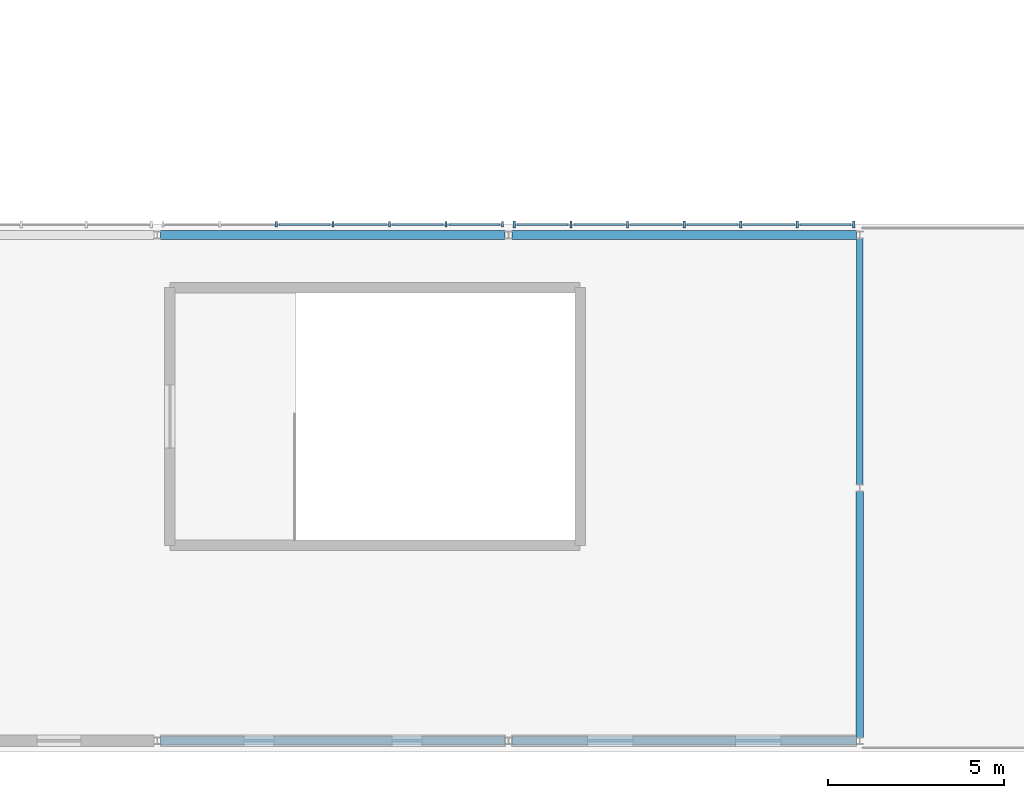
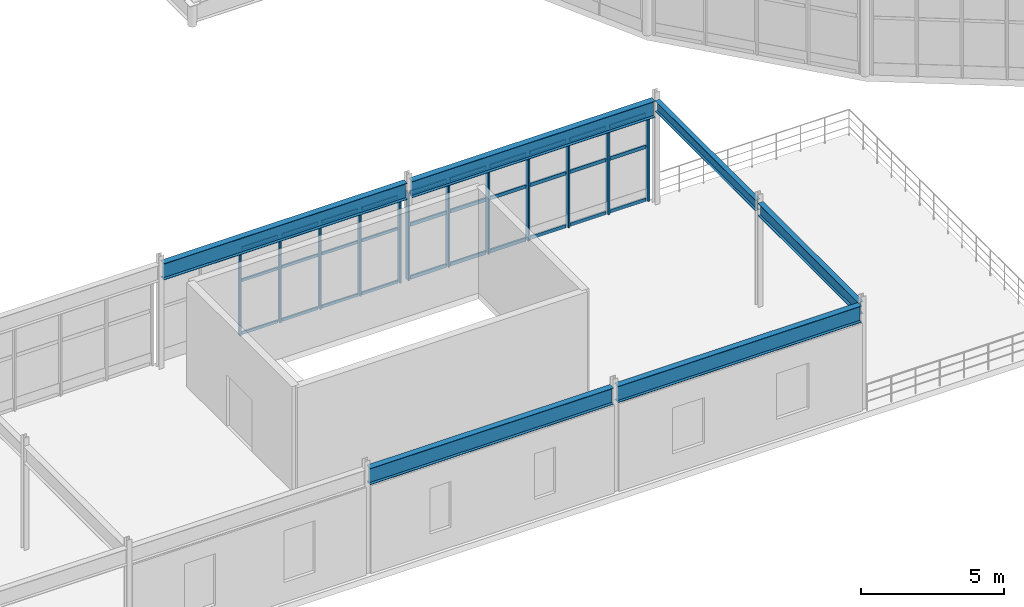
# One storey, part 33 of 144: 42 members, 6 beams, 2 elements without a shape of their own.
"""IFC4 building model written with IfcOpenShell, lengths in metres."""

from ifc_helpers import new_model, si_unit, direction, frame, origin, origin_2d, place, context, subcontext, project, spatial, rectangle, i_section, extrude, material, material_profile, profile_set, type_object, element, aggregate, save


model = new_model("IFC4")

# Units and contexts
model_context = context("Model", 3, precision=1e-05, world=origin(), true_north=direction((0.0, 1.0)))
body_context = subcontext(model_context, "Body", "Model", "MODEL_VIEW")
ifc_project = project(units=[si_unit("LENGTHUNIT", "METRE"), si_unit("AREAUNIT", "SQUARE_METRE"), si_unit("VOLUMEUNIT", "CUBIC_METRE"), si_unit("PLANEANGLEUNIT", "RADIAN"), si_unit("MASSUNIT", "GRAM", prefix="KILO")], contexts=[model_context])

# Site, building, storey
site_placement = place(None, origin())
site = spatial("IfcSite", under=ifc_project, at=site_placement, CompositionType="ELEMENT")
building_placement = place(site_placement, origin())
building = spatial("IfcBuilding", under=site, at=building_placement, Name="Cinderbank Siding Concert Hall", CompositionType="ELEMENT")
storey_placement = place(building_placement, frame((0.0, 0.0, 5.39990234375)))
storey = spatial("IfcBuildingStorey", under=building, at=storey_placement, Name="L02", CompositionType="ELEMENT", Elevation=5.39990234375)

# Beams
ifc_material_1 = material(Name="Structural steel AS/NZS 3679.1 Grade 350 (340 MPa)", Category="steel")
ifc_material_profile_1 = material_profile(ifc_material_1, i_section(OverallWidth=0.18994140625, OverallDepth=0.45751953125, WebThickness=0.009033203125, FlangeThickness=0.014404296875, at=origin_2d()), Name="460UB74.6", Category="LoadBearing")
ifc_profile_set_1 = profile_set([ifc_material_profile_1], Name="Structural steel AS/NZS 3679.1 Grade 350 (340 MPa)")
beam_type_1 = type_object("IfcBeamType", Name="BM-UB460 460UB74.6", PredefinedType="BEAM", material=ifc_profile_set_1)
beam_1_placement = place(storey_placement, frame((88.0, 13.39453125, 4.223388671875), z_axis=(0.0, 1.0, 0.0), x_axis=(-1.0, 0.0, 0.0)))
element("IfcBeam", 1, at=beam_1_placement, inside=storey, type_object=beam_type_1, Name="L02 Beam BM-UB460 #1618", PredefinedType="BEAM", context=body_context, shape_type="SweptSolid", body=[
    extrude(i_section(OverallWidth=0.18994140625, OverallDepth=0.45751953125, WebThickness=0.009033203125, FlangeThickness=0.014404296875, at=origin_2d()), origin(), (0.0, 0.0, 1.0), 7.010986328125),
])
ifc_material_profile_2 = material_profile(ifc_material_1, i_section(OverallWidth=0.208984375, OverallDepth=0.5283203125, WebThickness=0.009521484375, FlangeThickness=0.01318359375, at=origin_2d()), Name="530UB82.0", Category="LoadBearing")
ifc_profile_set_2 = profile_set([ifc_material_profile_2], Name="Structural steel AS/NZS 3679.1 Grade 350 (340 MPa)")
beam_type_2 = type_object("IfcBeamType", Name="BM-UB530 530UB82.0", PredefinedType="BEAM", material=ifc_profile_set_2)
beam_2_placement = place(storey_placement, frame((88.0, 6.194580078125, 4.18798828125), z_axis=(0.0, 1.0, 0.0), x_axis=(-1.0, 0.0, 0.0)))
element("IfcBeam", 2, at=beam_2_placement, inside=storey, type_object=beam_type_2, Name="L02 Beam BM-UB530 #1617", PredefinedType="BEAM", context=body_context, shape_type="SweptSolid", body=[
    extrude(i_section(OverallWidth=0.208984375, OverallDepth=0.5283203125, WebThickness=0.009521484375, FlangeThickness=0.01318359375, at=origin_2d()), origin(), (0.0, 0.0, 1.0), 7.010986328125),
])
ifc_material_2 = material(Name="Structural steel welded plate section AS/NZS 3679.2 / AS/NZS 3678 Grade 350 (340 MPa)", Category="steel")
ifc_material_profile_3 = material_profile(ifc_material_2, i_section(OverallWidth=0.25, OverallDepth=0.699951171875, WebThickness=0.010009765625, FlangeThickness=0.01611328125, at=origin_2d()), Name="700WB130", Category="LoadBearing")
ifc_profile_set_3 = profile_set([ifc_material_profile_3], Name="Structural steel welded plate section AS/NZS 3679.2 / AS/NZS 3678 Grade 350 (340 MPa)")
beam_type_3 = type_object("IfcBeamType", Name="BM-WB700 700WB130", PredefinedType="BEAM", material=ifc_profile_set_3)
for number, where, z_axis, x_axis, name in (
    (3, (68.094482421875, 6.10009765625, 4.10205078125), (1.0, 0.0, 0.0), (0.0, 1.0, 0.0), "L02 Beam BM-WB700 #1613"),
    (4, (68.094482421875, 20.5, 4.10205078125), (1.0, 0.0, 0.0), (0.0, 1.0, 0.0), "L02 Beam BM-WB700 #1614"),
    (5, (78.094482421875, 6.10009765625, 4.10205078125), (1.0, 0.0, 0.0), (0.0, 1.0, 0.0), "L02 Beam BM-WB700 #1615"),
    (6, (78.094482421875, 20.5, 4.10205078125), (1.0, 0.0, 0.0), (0.0, 1.0, 0.0), "L02 Beam BM-WB700 #1616"),
):
    element("IfcBeam", number, at=place(storey_placement, frame(where, z_axis=z_axis, x_axis=x_axis)), inside=storey, type_object=beam_type_3, Name=name, PredefinedType="BEAM", context=body_context, shape_type="SweptSolid", body=[
        extrude(i_section(OverallWidth=0.25, OverallDepth=0.699951171875, WebThickness=0.010009765625, FlangeThickness=0.01611328125, at=origin_2d()), origin(), (0.0, 0.0, 1.0), 9.81103515625),
    ])

# Curtain wall, members
ifc_material_3 = material(Name="Anodised aluminium alloy 6063-T6", Category="aluminium")
curtain_wall_type = type_object("IfcCurtainWallType", Name="CW-16 Unitised Acoustic Curtain Wall 9200x3800", PredefinedType="NOTDEFINED", material=ifc_material_3)
curtain_wall_1_placement = place(storey_placement, origin())
curtain_wall_1 = element("IfcCurtainWall", 7, at=curtain_wall_1_placement, inside=storey, type_object=curtain_wall_type, Name="L02 Curtain Wall CW-16 #142", PredefinedType="NOTDEFINED")
ifc_material_profile_4 = material_profile(ifc_material_3, rectangle(XDim=0.06005859375, YDim=0.159912109375, at=origin_2d()), Name="ALU-MULL-60x160", Category="LoadBearing")
ifc_profile_set_4 = profile_set([ifc_material_profile_4], Name="Anodised aluminium alloy 6063-T6")
member_type_1 = type_object("IfcMemberType", Name="CW-ML1 Mullion 60x160", PredefinedType="MULLION", material=ifc_profile_set_4)
member_1_placement = place(storey_placement, frame((71.38916015625, 20.800048828125, 0.0), z_axis=(0.0, 0.0, 1.0), x_axis=(1.0, 0.0, 0.0)))
member_1 = element("IfcMember", 8, at=member_1_placement, type_object=member_type_1, Name="CW-L02-142 Mullion 2", PredefinedType="MULLION", context=body_context, shape_type="SweptSolid", body=[
    extrude(rectangle(XDim=0.06005859375, YDim=0.159912109375, at=origin_2d()), origin(), (0.0, 0.0, 1.0), 3.737060546875),
])
member_2_placement = place(storey_placement, frame((73.0, 20.800048828125, 0.0), z_axis=(0.0, 0.0, 1.0), x_axis=(1.0, 0.0, 0.0)))
member_2 = element("IfcMember", 9, at=member_2_placement, type_object=member_type_1, Name="CW-L02-142 Mullion 3", PredefinedType="MULLION", context=body_context, shape_type="SweptSolid", body=[
    extrude(rectangle(XDim=0.06005859375, YDim=0.159912109375, at=origin_2d()), origin(), (0.0, 0.0, 1.0), 3.737060546875),
])
member_3_placement = place(storey_placement, frame((74.61083984375, 20.800048828125, 0.0), z_axis=(0.0, 0.0, 1.0), x_axis=(1.0, 0.0, 0.0)))
member_3 = element("IfcMember", 10, at=member_3_placement, type_object=member_type_1, Name="CW-L02-142 Mullion 4", PredefinedType="MULLION", context=body_context, shape_type="SweptSolid", body=[
    extrude(rectangle(XDim=0.06005859375, YDim=0.159912109375, at=origin_2d()), origin(), (0.0, 0.0, 1.0), 3.737060546875),
])
member_4_placement = place(storey_placement, frame((76.2216796875, 20.800048828125, 0.0), z_axis=(0.0, 0.0, 1.0), x_axis=(1.0, 0.0, 0.0)))
member_4 = element("IfcMember", 11, at=member_4_placement, type_object=member_type_1, Name="CW-L02-142 Mullion 5", PredefinedType="MULLION", context=body_context, shape_type="SweptSolid", body=[
    extrude(rectangle(XDim=0.06005859375, YDim=0.159912109375, at=origin_2d()), origin(), (0.0, 0.0, 1.0), 3.737060546875),
])
member_5_placement = place(storey_placement, frame((77.83251953125, 20.800048828125, 0.0), z_axis=(0.0, 0.0, 1.0), x_axis=(1.0, 0.0, 0.0)))
member_5 = element("IfcMember", 12, at=member_5_placement, type_object=member_type_1, Name="CW-L02-142 Mullion 6", PredefinedType="MULLION", context=body_context, shape_type="SweptSolid", body=[
    extrude(rectangle(XDim=0.06005859375, YDim=0.159912109375, at=origin_2d()), origin(), (0.0, 0.0, 1.0), 3.737060546875),
])

curtain_wall_2_placement = place(storey_placement, origin())
curtain_wall_2 = element("IfcCurtainWall", 13, at=curtain_wall_2_placement, inside=storey, type_object=curtain_wall_type, Name="L02 Curtain Wall CW-16 #143", PredefinedType="NOTDEFINED")
ifc_material_profile_5 = material_profile(ifc_material_3, rectangle(XDim=0.06494140625, YDim=0.199951171875, at=origin_2d()), Name="ALU-MULL-65x200", Category="LoadBearing")
ifc_profile_set_5 = profile_set([ifc_material_profile_5], Name="Anodised aluminium alloy 6063-T6")
member_type_2 = type_object("IfcMemberType", Name="CW-ML2 Mullion 65x200", PredefinedType="MULLION", material=ifc_profile_set_5)
member_6_placement = place(storey_placement, frame((78.16748046875, 20.800048828125, 0.0), z_axis=(0.0, 0.0, 1.0), x_axis=(1.0, 0.0, 0.0)))
member_6 = element("IfcMember", 14, at=member_6_placement, type_object=member_type_2, Name="CW-L02-143 Mullion 0", PredefinedType="MULLION", context=body_context, shape_type="SweptSolid", body=[
    extrude(rectangle(XDim=0.06494140625, YDim=0.199951171875, at=origin_2d()), origin(), (0.0, 0.0, 1.0), 3.737060546875),
])
member_7_placement = place(storey_placement, frame((79.7783203125, 20.800048828125, 0.0), z_axis=(0.0, 0.0, 1.0), x_axis=(1.0, 0.0, 0.0)))
member_7 = element("IfcMember", 15, at=member_7_placement, type_object=member_type_2, Name="CW-L02-143 Mullion 1", PredefinedType="MULLION", context=body_context, shape_type="SweptSolid", body=[
    extrude(rectangle(XDim=0.06494140625, YDim=0.199951171875, at=origin_2d()), origin(), (0.0, 0.0, 1.0), 3.737060546875),
])
member_8_placement = place(storey_placement, frame((81.38916015625, 20.800048828125, 0.0), z_axis=(0.0, 0.0, 1.0), x_axis=(1.0, 0.0, 0.0)))
member_8 = element("IfcMember", 16, at=member_8_placement, type_object=member_type_2, Name="CW-L02-143 Mullion 2", PredefinedType="MULLION", context=body_context, shape_type="SweptSolid", body=[
    extrude(rectangle(XDim=0.06494140625, YDim=0.199951171875, at=origin_2d()), origin(), (0.0, 0.0, 1.0), 3.737060546875),
])
member_9_placement = place(storey_placement, frame((83.0, 20.800048828125, 0.0), z_axis=(0.0, 0.0, 1.0), x_axis=(1.0, 0.0, 0.0)))
member_9 = element("IfcMember", 17, at=member_9_placement, type_object=member_type_2, Name="CW-L02-143 Mullion 3", PredefinedType="MULLION", context=body_context, shape_type="SweptSolid", body=[
    extrude(rectangle(XDim=0.06494140625, YDim=0.199951171875, at=origin_2d()), origin(), (0.0, 0.0, 1.0), 3.737060546875),
])
member_10_placement = place(storey_placement, frame((84.61083984375, 20.800048828125, 0.0), z_axis=(0.0, 0.0, 1.0), x_axis=(1.0, 0.0, 0.0)))
member_10 = element("IfcMember", 18, at=member_10_placement, type_object=member_type_2, Name="CW-L02-143 Mullion 4", PredefinedType="MULLION", context=body_context, shape_type="SweptSolid", body=[
    extrude(rectangle(XDim=0.06494140625, YDim=0.199951171875, at=origin_2d()), origin(), (0.0, 0.0, 1.0), 3.737060546875),
])
member_11_placement = place(storey_placement, frame((86.2216796875, 20.800048828125, 0.0), z_axis=(0.0, 0.0, 1.0), x_axis=(1.0, 0.0, 0.0)))
member_11 = element("IfcMember", 19, at=member_11_placement, type_object=member_type_2, Name="CW-L02-143 Mullion 5", PredefinedType="MULLION", context=body_context, shape_type="SweptSolid", body=[
    extrude(rectangle(XDim=0.06494140625, YDim=0.199951171875, at=origin_2d()), origin(), (0.0, 0.0, 1.0), 3.737060546875),
])
member_12_placement = place(storey_placement, frame((87.83251953125, 20.800048828125, 0.0), z_axis=(0.0, 0.0, 1.0), x_axis=(1.0, 0.0, 0.0)))
member_12 = element("IfcMember", 20, at=member_12_placement, type_object=member_type_2, Name="CW-L02-143 Mullion 6", PredefinedType="MULLION", context=body_context, shape_type="SweptSolid", body=[
    extrude(rectangle(XDim=0.06494140625, YDim=0.199951171875, at=origin_2d()), origin(), (0.0, 0.0, 1.0), 3.737060546875),
])

# Member
ifc_material_profile_6 = material_profile(ifc_material_3, rectangle(XDim=0.06005859375, YDim=0.1201171875, at=origin_2d()), Name="ALU-TRAN-60x120", Category="LoadBearing")
ifc_profile_set_6 = profile_set([ifc_material_profile_6], Name="Anodised aluminium alloy 6063-T6")
member_type_3 = type_object("IfcMemberType", Name="CW-TR1 Transom 60x120", PredefinedType="USERDEFINED", material=ifc_profile_set_6)
member_13_placement = place(storey_placement, frame((71.4697265625, 20.800048828125, 0.06005859375), z_axis=(1.0, 0.0, 0.0), x_axis=(0.0, 1.0, 0.0)))
member_13 = element("IfcMember", 21, at=member_13_placement, type_object=member_type_3, Name="CW-L02-142 Transom 2-0", ObjectType="TRANSOM", PredefinedType="USERDEFINED", context=body_context, shape_type="SweptSolid", body=[
    extrude(rectangle(XDim=0.06005859375, YDim=0.1201171875, at=origin_2d()), origin(), (0.0, 0.0, 1.0), 1.44970703125),
])

member_14_placement = place(storey_placement, frame((71.4697265625, 20.800048828125, 2.31689453125), z_axis=(1.0, 0.0, 0.0), x_axis=(0.0, 1.0, 0.0)))
member_14 = element("IfcMember", 22, at=member_14_placement, type_object=member_type_3, Name="CW-L02-142 Transom 2-1", ObjectType="TRANSOM", PredefinedType="USERDEFINED", context=body_context, shape_type="SweptSolid", body=[
    extrude(rectangle(XDim=0.06005859375, YDim=0.1201171875, at=origin_2d()), origin(), (0.0, 0.0, 1.0), 1.44970703125),
])

member_15_placement = place(storey_placement, frame((71.4697265625, 20.800048828125, 3.677001953125), z_axis=(1.0, 0.0, 0.0), x_axis=(0.0, 1.0, 0.0)))
member_15 = element("IfcMember", 23, at=member_15_placement, type_object=member_type_3, Name="CW-L02-142 Transom 2-2", ObjectType="TRANSOM", PredefinedType="USERDEFINED", context=body_context, shape_type="SweptSolid", body=[
    extrude(rectangle(XDim=0.06005859375, YDim=0.1201171875, at=origin_2d()), origin(), (0.0, 0.0, 1.0), 1.44970703125),
])

member_16_placement = place(storey_placement, frame((73.08056640625, 20.800048828125, 0.06005859375), z_axis=(1.0, 0.0, 0.0), x_axis=(0.0, 1.0, 0.0)))
member_16 = element("IfcMember", 24, at=member_16_placement, type_object=member_type_3, Name="CW-L02-142 Transom 3-0", ObjectType="TRANSOM", PredefinedType="USERDEFINED", context=body_context, shape_type="SweptSolid", body=[
    extrude(rectangle(XDim=0.06005859375, YDim=0.1201171875, at=origin_2d()), origin(), (0.0, 0.0, 1.0), 1.44970703125),
])

member_17_placement = place(storey_placement, frame((73.08056640625, 20.800048828125, 2.31689453125), z_axis=(1.0, 0.0, 0.0), x_axis=(0.0, 1.0, 0.0)))
member_17 = element("IfcMember", 25, at=member_17_placement, type_object=member_type_3, Name="CW-L02-142 Transom 3-1", ObjectType="TRANSOM", PredefinedType="USERDEFINED", context=body_context, shape_type="SweptSolid", body=[
    extrude(rectangle(XDim=0.06005859375, YDim=0.1201171875, at=origin_2d()), origin(), (0.0, 0.0, 1.0), 1.44970703125),
])

member_18_placement = place(storey_placement, frame((73.08056640625, 20.800048828125, 3.677001953125), z_axis=(1.0, 0.0, 0.0), x_axis=(0.0, 1.0, 0.0)))
member_18 = element("IfcMember", 26, at=member_18_placement, type_object=member_type_3, Name="CW-L02-142 Transom 3-2", ObjectType="TRANSOM", PredefinedType="USERDEFINED", context=body_context, shape_type="SweptSolid", body=[
    extrude(rectangle(XDim=0.06005859375, YDim=0.1201171875, at=origin_2d()), origin(), (0.0, 0.0, 1.0), 1.44970703125),
])

member_19_placement = place(storey_placement, frame((74.69140625, 20.800048828125, 0.06005859375), z_axis=(1.0, 0.0, 0.0), x_axis=(0.0, 1.0, 0.0)))
member_19 = element("IfcMember", 27, at=member_19_placement, type_object=member_type_3, Name="CW-L02-142 Transom 4-0", ObjectType="TRANSOM", PredefinedType="USERDEFINED", context=body_context, shape_type="SweptSolid", body=[
    extrude(rectangle(XDim=0.06005859375, YDim=0.1201171875, at=origin_2d()), origin(), (0.0, 0.0, 1.0), 1.44970703125),
])

member_20_placement = place(storey_placement, frame((74.69140625, 20.800048828125, 2.31689453125), z_axis=(1.0, 0.0, 0.0), x_axis=(0.0, 1.0, 0.0)))
member_20 = element("IfcMember", 28, at=member_20_placement, type_object=member_type_3, Name="CW-L02-142 Transom 4-1", ObjectType="TRANSOM", PredefinedType="USERDEFINED", context=body_context, shape_type="SweptSolid", body=[
    extrude(rectangle(XDim=0.06005859375, YDim=0.1201171875, at=origin_2d()), origin(), (0.0, 0.0, 1.0), 1.44970703125),
])

member_21_placement = place(storey_placement, frame((74.69140625, 20.800048828125, 3.677001953125), z_axis=(1.0, 0.0, 0.0), x_axis=(0.0, 1.0, 0.0)))
member_21 = element("IfcMember", 29, at=member_21_placement, type_object=member_type_3, Name="CW-L02-142 Transom 4-2", ObjectType="TRANSOM", PredefinedType="USERDEFINED", context=body_context, shape_type="SweptSolid", body=[
    extrude(rectangle(XDim=0.06005859375, YDim=0.1201171875, at=origin_2d()), origin(), (0.0, 0.0, 1.0), 1.44970703125),
])

member_22_placement = place(storey_placement, frame((76.30224609375, 20.800048828125, 0.06005859375), z_axis=(1.0, 0.0, 0.0), x_axis=(0.0, 1.0, 0.0)))
member_22 = element("IfcMember", 30, at=member_22_placement, type_object=member_type_3, Name="CW-L02-142 Transom 5-0", ObjectType="TRANSOM", PredefinedType="USERDEFINED", context=body_context, shape_type="SweptSolid", body=[
    extrude(rectangle(XDim=0.06005859375, YDim=0.1201171875, at=origin_2d()), origin(), (0.0, 0.0, 1.0), 1.44970703125),
])

member_23_placement = place(storey_placement, frame((76.30224609375, 20.800048828125, 2.31689453125), z_axis=(1.0, 0.0, 0.0), x_axis=(0.0, 1.0, 0.0)))
member_23 = element("IfcMember", 31, at=member_23_placement, type_object=member_type_3, Name="CW-L02-142 Transom 5-1", ObjectType="TRANSOM", PredefinedType="USERDEFINED", context=body_context, shape_type="SweptSolid", body=[
    extrude(rectangle(XDim=0.06005859375, YDim=0.1201171875, at=origin_2d()), origin(), (0.0, 0.0, 1.0), 1.44970703125),
])

member_24_placement = place(storey_placement, frame((76.30224609375, 20.800048828125, 3.677001953125), z_axis=(1.0, 0.0, 0.0), x_axis=(0.0, 1.0, 0.0)))
member_24 = element("IfcMember", 32, at=member_24_placement, type_object=member_type_3, Name="CW-L02-142 Transom 5-2", ObjectType="TRANSOM", PredefinedType="USERDEFINED", context=body_context, shape_type="SweptSolid", body=[
    extrude(rectangle(XDim=0.06005859375, YDim=0.1201171875, at=origin_2d()), origin(), (0.0, 0.0, 1.0), 1.44970703125),
])

aggregate(curtain_wall_1, [member_1, member_2, member_3, member_4, member_5, member_13, member_14, member_15, member_16, member_17, member_18, member_19, member_20, member_21, member_22, member_23, member_24])

ifc_material_profile_7 = material_profile(ifc_material_3, rectangle(XDim=0.06494140625, YDim=0.14990234375, at=origin_2d()), Name="ALU-TRAN-65x150", Category="LoadBearing")
ifc_profile_set_7 = profile_set([ifc_material_profile_7], Name="Anodised aluminium alloy 6063-T6")
member_type_4 = type_object("IfcMemberType", Name="CW-TR2 Transom 65x150", PredefinedType="USERDEFINED", material=ifc_profile_set_7)
member_25_placement = place(storey_placement, frame((78.248046875, 20.800048828125, 0.06005859375), z_axis=(1.0, 0.0, 0.0), x_axis=(0.0, 1.0, 0.0)))
member_25 = element("IfcMember", 33, at=member_25_placement, type_object=member_type_4, Name="CW-L02-143 Transom 0-0", ObjectType="TRANSOM", PredefinedType="USERDEFINED", context=body_context, shape_type="SweptSolid", body=[
    extrude(rectangle(XDim=0.06494140625, YDim=0.14990234375, at=origin_2d()), origin(), (0.0, 0.0, 1.0), 1.44970703125),
])

member_26_placement = place(storey_placement, frame((78.248046875, 20.800048828125, 2.31689453125), z_axis=(1.0, 0.0, 0.0), x_axis=(0.0, 1.0, 0.0)))
member_26 = element("IfcMember", 34, at=member_26_placement, type_object=member_type_4, Name="CW-L02-143 Transom 0-1", ObjectType="TRANSOM", PredefinedType="USERDEFINED", context=body_context, shape_type="SweptSolid", body=[
    extrude(rectangle(XDim=0.06494140625, YDim=0.14990234375, at=origin_2d()), origin(), (0.0, 0.0, 1.0), 1.44970703125),
])

member_27_placement = place(storey_placement, frame((78.248046875, 20.800048828125, 3.677001953125), z_axis=(1.0, 0.0, 0.0), x_axis=(0.0, 1.0, 0.0)))
member_27 = element("IfcMember", 35, at=member_27_placement, type_object=member_type_4, Name="CW-L02-143 Transom 0-2", ObjectType="TRANSOM", PredefinedType="USERDEFINED", context=body_context, shape_type="SweptSolid", body=[
    extrude(rectangle(XDim=0.06494140625, YDim=0.14990234375, at=origin_2d()), origin(), (0.0, 0.0, 1.0), 1.44970703125),
])

member_28_placement = place(storey_placement, frame((79.85888671875, 20.800048828125, 0.06005859375), z_axis=(1.0, 0.0, 0.0), x_axis=(0.0, 1.0, 0.0)))
member_28 = element("IfcMember", 36, at=member_28_placement, type_object=member_type_4, Name="CW-L02-143 Transom 1-0", ObjectType="TRANSOM", PredefinedType="USERDEFINED", context=body_context, shape_type="SweptSolid", body=[
    extrude(rectangle(XDim=0.06494140625, YDim=0.14990234375, at=origin_2d()), origin(), (0.0, 0.0, 1.0), 1.44970703125),
])

member_29_placement = place(storey_placement, frame((79.85888671875, 20.800048828125, 2.31689453125), z_axis=(1.0, 0.0, 0.0), x_axis=(0.0, 1.0, 0.0)))
member_29 = element("IfcMember", 37, at=member_29_placement, type_object=member_type_4, Name="CW-L02-143 Transom 1-1", ObjectType="TRANSOM", PredefinedType="USERDEFINED", context=body_context, shape_type="SweptSolid", body=[
    extrude(rectangle(XDim=0.06494140625, YDim=0.14990234375, at=origin_2d()), origin(), (0.0, 0.0, 1.0), 1.44970703125),
])

member_30_placement = place(storey_placement, frame((79.85888671875, 20.800048828125, 3.677001953125), z_axis=(1.0, 0.0, 0.0), x_axis=(0.0, 1.0, 0.0)))
member_30 = element("IfcMember", 38, at=member_30_placement, type_object=member_type_4, Name="CW-L02-143 Transom 1-2", ObjectType="TRANSOM", PredefinedType="USERDEFINED", context=body_context, shape_type="SweptSolid", body=[
    extrude(rectangle(XDim=0.06494140625, YDim=0.14990234375, at=origin_2d()), origin(), (0.0, 0.0, 1.0), 1.44970703125),
])

member_31_placement = place(storey_placement, frame((81.4697265625, 20.800048828125, 0.06005859375), z_axis=(1.0, 0.0, 0.0), x_axis=(0.0, 1.0, 0.0)))
member_31 = element("IfcMember", 39, at=member_31_placement, type_object=member_type_4, Name="CW-L02-143 Transom 2-0", ObjectType="TRANSOM", PredefinedType="USERDEFINED", context=body_context, shape_type="SweptSolid", body=[
    extrude(rectangle(XDim=0.06494140625, YDim=0.14990234375, at=origin_2d()), origin(), (0.0, 0.0, 1.0), 1.44970703125),
])

member_32_placement = place(storey_placement, frame((81.4697265625, 20.800048828125, 2.31689453125), z_axis=(1.0, 0.0, 0.0), x_axis=(0.0, 1.0, 0.0)))
member_32 = element("IfcMember", 40, at=member_32_placement, type_object=member_type_4, Name="CW-L02-143 Transom 2-1", ObjectType="TRANSOM", PredefinedType="USERDEFINED", context=body_context, shape_type="SweptSolid", body=[
    extrude(rectangle(XDim=0.06494140625, YDim=0.14990234375, at=origin_2d()), origin(), (0.0, 0.0, 1.0), 1.44970703125),
])

member_33_placement = place(storey_placement, frame((81.4697265625, 20.800048828125, 3.677001953125), z_axis=(1.0, 0.0, 0.0), x_axis=(0.0, 1.0, 0.0)))
member_33 = element("IfcMember", 41, at=member_33_placement, type_object=member_type_4, Name="CW-L02-143 Transom 2-2", ObjectType="TRANSOM", PredefinedType="USERDEFINED", context=body_context, shape_type="SweptSolid", body=[
    extrude(rectangle(XDim=0.06494140625, YDim=0.14990234375, at=origin_2d()), origin(), (0.0, 0.0, 1.0), 1.44970703125),
])

member_34_placement = place(storey_placement, frame((83.08056640625, 20.800048828125, 0.06005859375), z_axis=(1.0, 0.0, 0.0), x_axis=(0.0, 1.0, 0.0)))
member_34 = element("IfcMember", 42, at=member_34_placement, type_object=member_type_4, Name="CW-L02-143 Transom 3-0", ObjectType="TRANSOM", PredefinedType="USERDEFINED", context=body_context, shape_type="SweptSolid", body=[
    extrude(rectangle(XDim=0.06494140625, YDim=0.14990234375, at=origin_2d()), origin(), (0.0, 0.0, 1.0), 1.44970703125),
])

member_35_placement = place(storey_placement, frame((83.08056640625, 20.800048828125, 2.31689453125), z_axis=(1.0, 0.0, 0.0), x_axis=(0.0, 1.0, 0.0)))
member_35 = element("IfcMember", 43, at=member_35_placement, type_object=member_type_4, Name="CW-L02-143 Transom 3-1", ObjectType="TRANSOM", PredefinedType="USERDEFINED", context=body_context, shape_type="SweptSolid", body=[
    extrude(rectangle(XDim=0.06494140625, YDim=0.14990234375, at=origin_2d()), origin(), (0.0, 0.0, 1.0), 1.44970703125),
])

member_36_placement = place(storey_placement, frame((83.08056640625, 20.800048828125, 3.677001953125), z_axis=(1.0, 0.0, 0.0), x_axis=(0.0, 1.0, 0.0)))
member_36 = element("IfcMember", 44, at=member_36_placement, type_object=member_type_4, Name="CW-L02-143 Transom 3-2", ObjectType="TRANSOM", PredefinedType="USERDEFINED", context=body_context, shape_type="SweptSolid", body=[
    extrude(rectangle(XDim=0.06494140625, YDim=0.14990234375, at=origin_2d()), origin(), (0.0, 0.0, 1.0), 1.44970703125),
])

member_37_placement = place(storey_placement, frame((84.69140625, 20.800048828125, 0.06005859375), z_axis=(1.0, 0.0, 0.0), x_axis=(0.0, 1.0, 0.0)))
member_37 = element("IfcMember", 45, at=member_37_placement, type_object=member_type_4, Name="CW-L02-143 Transom 4-0", ObjectType="TRANSOM", PredefinedType="USERDEFINED", context=body_context, shape_type="SweptSolid", body=[
    extrude(rectangle(XDim=0.06494140625, YDim=0.14990234375, at=origin_2d()), origin(), (0.0, 0.0, 1.0), 1.44970703125),
])

member_38_placement = place(storey_placement, frame((84.69140625, 20.800048828125, 2.31689453125), z_axis=(1.0, 0.0, 0.0), x_axis=(0.0, 1.0, 0.0)))
member_38 = element("IfcMember", 46, at=member_38_placement, type_object=member_type_4, Name="CW-L02-143 Transom 4-1", ObjectType="TRANSOM", PredefinedType="USERDEFINED", context=body_context, shape_type="SweptSolid", body=[
    extrude(rectangle(XDim=0.06494140625, YDim=0.14990234375, at=origin_2d()), origin(), (0.0, 0.0, 1.0), 1.44970703125),
])

member_39_placement = place(storey_placement, frame((84.69140625, 20.800048828125, 3.677001953125), z_axis=(1.0, 0.0, 0.0), x_axis=(0.0, 1.0, 0.0)))
member_39 = element("IfcMember", 47, at=member_39_placement, type_object=member_type_4, Name="CW-L02-143 Transom 4-2", ObjectType="TRANSOM", PredefinedType="USERDEFINED", context=body_context, shape_type="SweptSolid", body=[
    extrude(rectangle(XDim=0.06494140625, YDim=0.14990234375, at=origin_2d()), origin(), (0.0, 0.0, 1.0), 1.44970703125),
])

member_40_placement = place(storey_placement, frame((86.30224609375, 20.800048828125, 0.06005859375), z_axis=(1.0, 0.0, 0.0), x_axis=(0.0, 1.0, 0.0)))
member_40 = element("IfcMember", 48, at=member_40_placement, type_object=member_type_4, Name="CW-L02-143 Transom 5-0", ObjectType="TRANSOM", PredefinedType="USERDEFINED", context=body_context, shape_type="SweptSolid", body=[
    extrude(rectangle(XDim=0.06494140625, YDim=0.14990234375, at=origin_2d()), origin(), (0.0, 0.0, 1.0), 1.44970703125),
])

member_41_placement = place(storey_placement, frame((86.30224609375, 20.800048828125, 2.31689453125), z_axis=(1.0, 0.0, 0.0), x_axis=(0.0, 1.0, 0.0)))
member_41 = element("IfcMember", 49, at=member_41_placement, type_object=member_type_4, Name="CW-L02-143 Transom 5-1", ObjectType="TRANSOM", PredefinedType="USERDEFINED", context=body_context, shape_type="SweptSolid", body=[
    extrude(rectangle(XDim=0.06494140625, YDim=0.14990234375, at=origin_2d()), origin(), (0.0, 0.0, 1.0), 1.44970703125),
])

member_42_placement = place(storey_placement, frame((86.30224609375, 20.800048828125, 3.677001953125), z_axis=(1.0, 0.0, 0.0), x_axis=(0.0, 1.0, 0.0)))
member_42 = element("IfcMember", 50, at=member_42_placement, type_object=member_type_4, Name="CW-L02-143 Transom 5-2", ObjectType="TRANSOM", PredefinedType="USERDEFINED", context=body_context, shape_type="SweptSolid", body=[
    extrude(rectangle(XDim=0.06494140625, YDim=0.14990234375, at=origin_2d()), origin(), (0.0, 0.0, 1.0), 1.44970703125),
])

aggregate(curtain_wall_2, [member_6, member_7, member_8, member_9, member_10, member_11, member_12, member_25, member_26, member_27, member_28, member_29, member_30, member_31, member_32, member_33, member_34, member_35, member_36, member_37, member_38, member_39, member_40, member_41, member_42])

save(model, "model.ifc")
